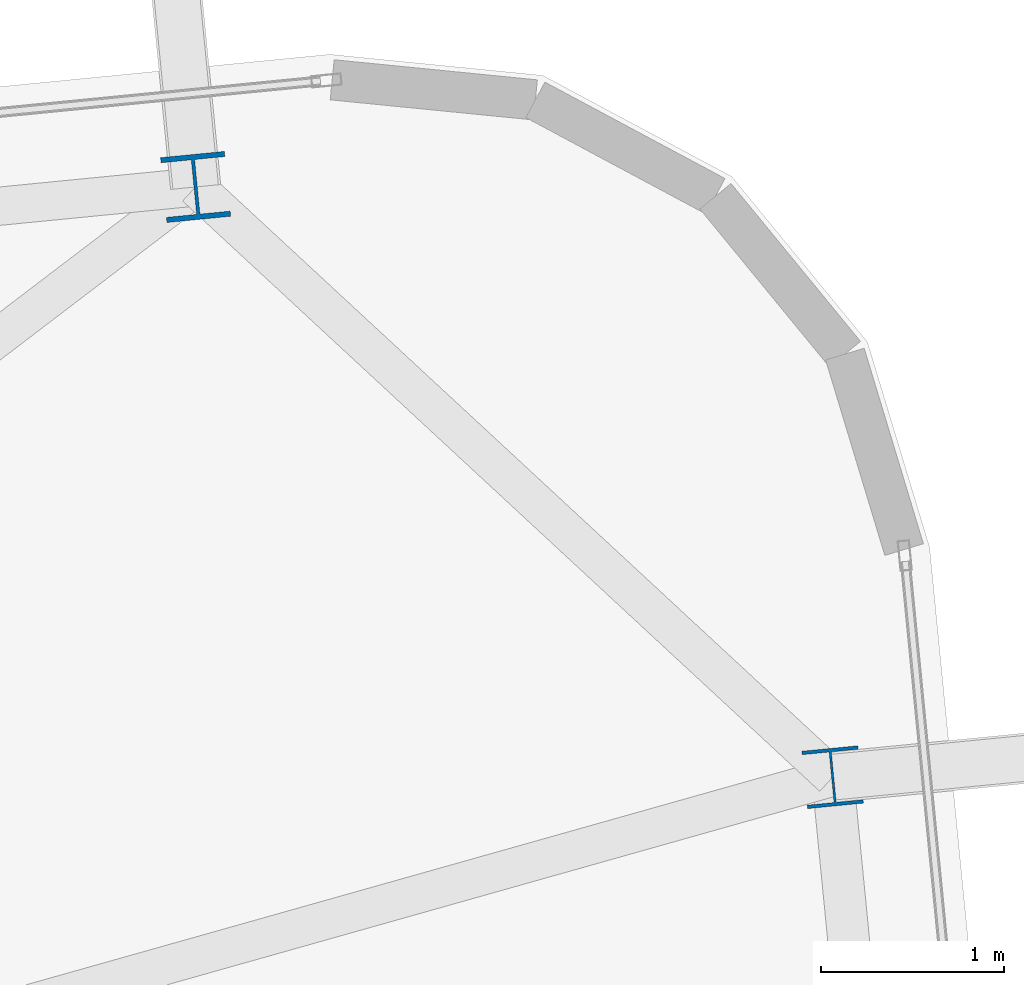
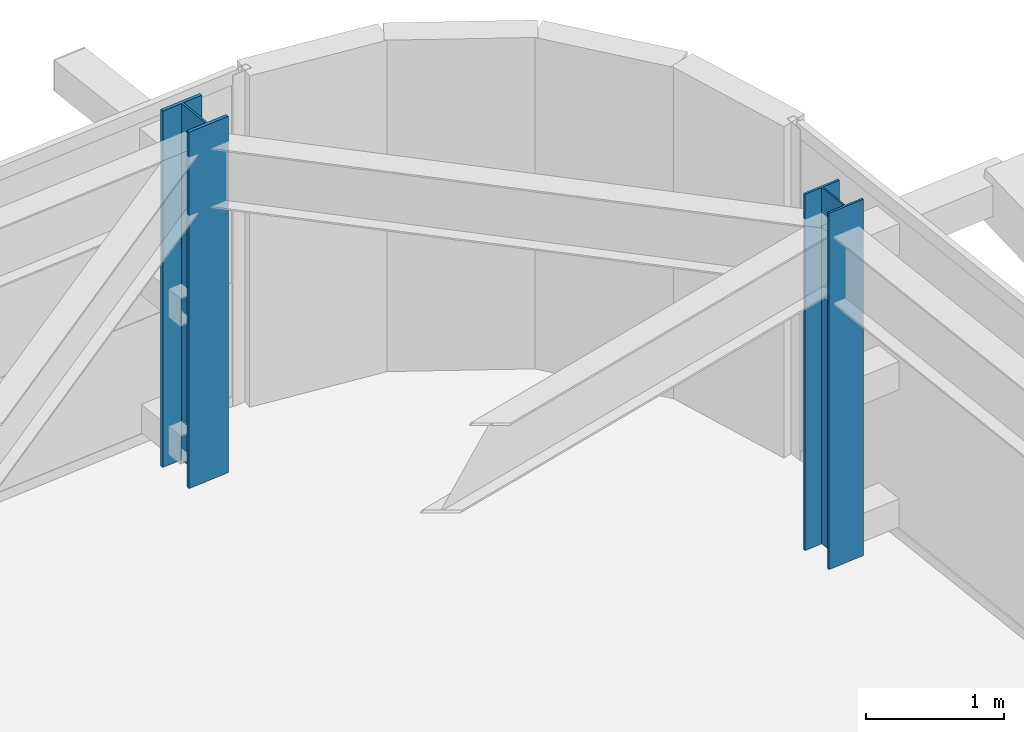
# One storey, part 4 of 52: 2 columns.
"""IFC4 building model written with IfcOpenShell, lengths in metres."""

from ifc_helpers import new_model, si_unit, direction, frame, origin, origin_2d, place, context, subcontext, project, spatial, i_section, extrude, source, transform, mapped, material, material_profile, profile_set, type_object, element, save


model = new_model("IFC4")

# Units and contexts
model_context = context("Model", 3, precision=1e-05, world=origin(), true_north=direction((0.0, 1.0)))
body_context = subcontext(model_context, "Body", "Model", "MODEL_VIEW")
ifc_project = project(units=[si_unit("LENGTHUNIT", "METRE"), si_unit("AREAUNIT", "SQUARE_METRE"), si_unit("VOLUMEUNIT", "CUBIC_METRE"), si_unit("PLANEANGLEUNIT", "RADIAN"), si_unit("MASSUNIT", "GRAM", prefix="KILO")], contexts=[model_context])

# Site, building, storey
site_placement = place(None, origin())
site = spatial("IfcSite", under=ifc_project, at=site_placement, CompositionType="ELEMENT")
building_placement = place(site_placement, origin())
building = spatial("IfcBuilding", under=site, at=building_placement, Name="Taldren Reach Tower", CompositionType="ELEMENT")
storey_placement = place(building_placement, frame((0.0, 0.0, 77.699951171875)))
storey = spatial("IfcBuildingStorey", under=building, at=storey_placement, Name="L23", CompositionType="ELEMENT", Elevation=77.699951171875)

# Columns
ifc_material = material(Name="Steel Gr 350 (350PLUS)", Category="steel")
ifc_material_profile_1 = material_profile(ifc_material, i_section(OverallWidth=0.35009765625, OverallDepth=0.35595703125, WebThickness=0.01806640625, FlangeThickness=0.028076171875, at=origin_2d()), Name="350WC197")
ifc_profile_set_1 = profile_set([ifc_material_profile_1], Name="Steel Gr 350 (350PLUS)")
column_type_1 = type_object("IfcColumnType", Name="COL-WC350", PredefinedType="COLUMN", material=ifc_profile_set_1)
shared_shape_1 = source(origin(), body_context, "Body", "SweptSolid", [
    extrude(i_section(OverallWidth=0.35009765625, OverallDepth=0.35595703125, WebThickness=0.01806640625, FlangeThickness=0.028076171875, at=origin_2d()), origin(), (0.0, 0.0, 1.0), 3.150146484375),
])
column_1_placement = place(storey_placement, frame((59.765869140625, 38.679931640625, 0.0), z_axis=(0.0, 0.0, 1.0), x_axis=(0.995227399982, 0.097582899759, 0.0)))
element("IfcColumn", 1, at=column_1_placement, inside=storey, type_object=column_type_1, Name="Block B2 perimeter column N6 L23", PredefinedType="COLUMN", context=body_context, shape_type="MappedRepresentation", body=[
    mapped(shared_shape_1, transform((0.0, 0.0, 0.0), scale=1.0)),
])
ifc_material_profile_2 = material_profile(ifc_material, i_section(OverallWidth=0.306884765625, OverallDepth=0.31494140625, WebThickness=0.011962890625, FlangeThickness=0.018798828125, at=origin_2d()), Name="310UC118")
ifc_profile_set_2 = profile_set([ifc_material_profile_2], Name="Steel Gr 350 (350PLUS)")
column_type_2 = type_object("IfcColumnType", Name="COL-UC310B", PredefinedType="COLUMN", material=ifc_profile_set_2)
shared_shape_2 = source(origin(), body_context, "Body", "SweptSolid", [
    extrude(i_section(OverallWidth=0.306884765625, OverallDepth=0.31494140625, WebThickness=0.011962890625, FlangeThickness=0.018798828125, at=origin_2d()), origin(), (0.0, 0.0, 1.0), 3.150146484375),
])
column_2_placement = place(storey_placement, frame((63.247314453125, 35.454345703125, 0.0), z_axis=(0.0, 0.0, 1.0), x_axis=(0.995227399982, 0.097582899759, 0.0)))
element("IfcColumn", 2, at=column_2_placement, inside=storey, type_object=column_type_2, Name="Block B2 perimeter column E3 L23", PredefinedType="COLUMN", context=body_context, shape_type="MappedRepresentation", body=[
    mapped(shared_shape_2, transform((0.0, 0.0, 0.0), scale=1.0)),
])

save(model, "model.ifc")
